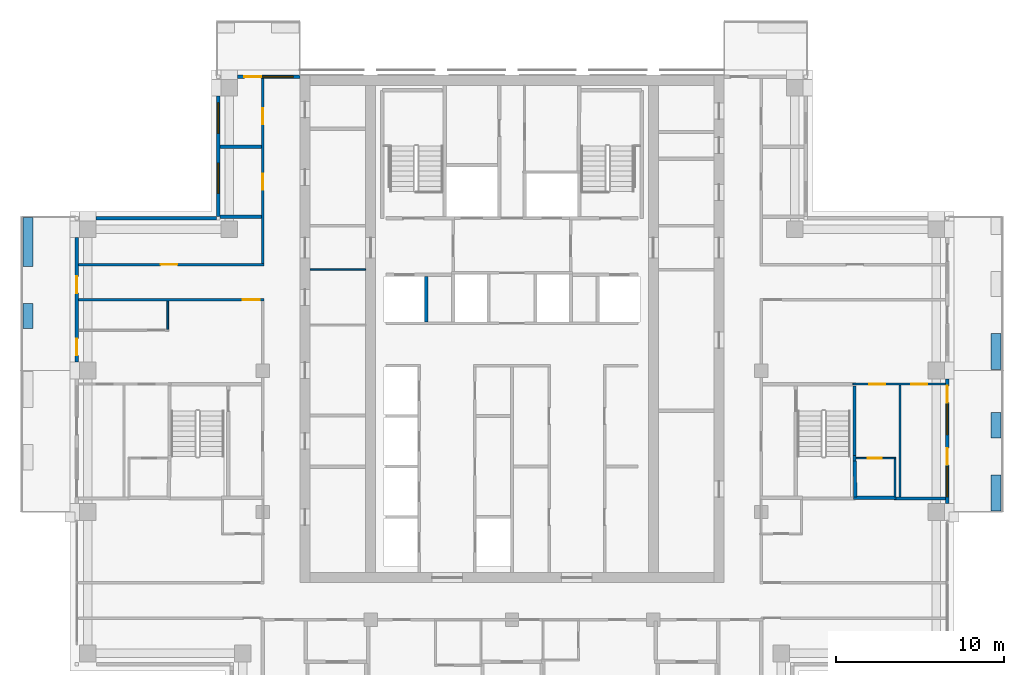
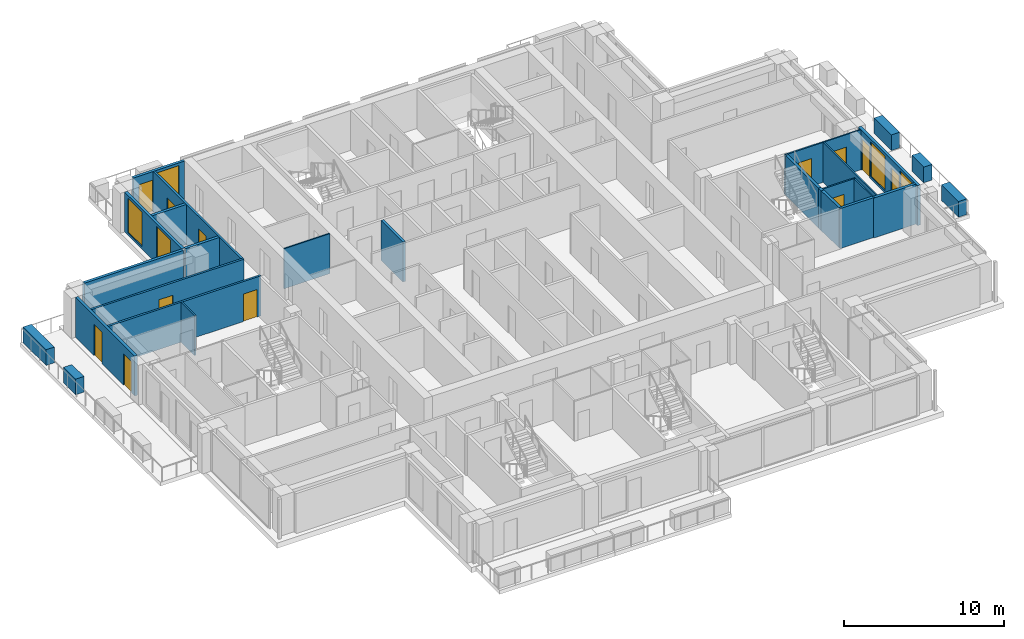
# One storey, part 10 of 17: 27 walls, 12 doors, 5 windows, 17 openings.
"""IFC4 building model written with IfcOpenShell, lengths in metres."""

from ifc_helpers import new_model, si_unit, direction, frame, frame_2d, origin, place, context, subcontext, project, spatial, rectangle, extrude, material, layer, layer_set, type_object, element, fill, save


model = new_model("IFC4")

# Units and contexts
model_context = context("Model", 3, precision=1e-05, world=origin(), true_north=direction((0.0, 1.0)))
body_context = subcontext(model_context, "Body", "Model", "MODEL_VIEW")
ifc_project = project(units=[si_unit("LENGTHUNIT", "METRE"), si_unit("AREAUNIT", "SQUARE_METRE"), si_unit("VOLUMEUNIT", "CUBIC_METRE"), si_unit("PLANEANGLEUNIT", "RADIAN"), si_unit("MASSUNIT", "GRAM", prefix="KILO")], contexts=[model_context])

# Site, building, storey
site_placement = place(None, origin())
site = spatial("IfcSite", under=ifc_project, at=site_placement, CompositionType="ELEMENT")
building_placement = place(site_placement, origin())
building = spatial("IfcBuilding", under=site, at=building_placement, Name="Vermilion Ogive Tower", CompositionType="ELEMENT")
storey_placement = place(building_placement, frame((0.0, 0.0, 196.25)))
storey = spatial("IfcBuildingStorey", under=building, at=storey_placement, Name="L51", CompositionType="ELEMENT", Elevation=196.25)

# Wall, opening, door
ifc_material_1 = material(Name="Gypsum board partition on steel studs", Category="steel")
ifc_layer_1 = layer(ifc_material_1, 0.10009765625)
ifc_layer_set_1 = layer_set([ifc_layer_1], Name="Partition 100 bath")
wall_type_1 = type_object("IfcWallType", Name="Partition 100 bath", PredefinedType="PARTITIONING", material=ifc_layer_set_1)
wall_1_placement = place(storey_placement, frame((20.449951171875, -1.0, 0.0), z_axis=(0.0, 0.0, 1.0), x_axis=(1.0, 0.0, 0.0)))
wall_1 = element("IfcWall", 1, at=wall_1_placement, inside=storey, type_object=wall_type_1, Name="L51-W-W032", PredefinedType="PARTITIONING", context=body_context, shape_type="SweptSolid", body=[
    extrude(rectangle(XDim=2.35009765625, YDim=0.10009765625, at=frame_2d((1.175048828125, 0.0))), origin(), (0.0, 0.0, 1.0), 3.050048828125),
])
opening_1_placement = place(wall_1_placement, frame((0.675048828125, 0.0, 0.0)))
opening_1 = element("IfcOpeningElement", 2, at=opening_1_placement, cuts=wall_1, Name="Opening D4G3022", PredefinedType="OPENING", context=body_context, shape_type="SweptSolid", body=[
    extrude(rectangle(XDim=0.85009765625, YDim=2.10009765625, at=frame_2d((0.425048828125, 1.050048828125))), frame((0.0, 0.06005859375, 0.0), z_axis=(0.0, -1.0, 0.0), x_axis=(1.0, 0.0, 0.0)), (0.0, 0.0, 1.0), 0.1201171875),
])
ifc_material_2 = material(Name="Timber door leaf", Category="wood")
door_type_1 = type_object("IfcDoorType", Name="Bath door 850 x 2100 FD30", OperationType="SINGLE_SWING_LEFT", PredefinedType="DOOR", material=ifc_material_2)
door_1_placement = place(opening_1_placement, origin())
door_1 = element("IfcDoor", 3, at=door_1_placement, inside=storey, type_object=door_type_1, Name="L51-D-D022", OperationType="SINGLE_SWING_RIGHT", OverallHeight=2.10009765625, OverallWidth=0.85009765625, PredefinedType="DOOR", context=body_context, shape_type="SweptSolid", body=[
    extrude(rectangle(XDim=0.85009765625, YDim=2.10009765625, at=frame_2d((0.425048828125, 1.050048828125))), frame((0.0, 0.02490234375, 0.0), z_axis=(0.0, -1.0, 0.0), x_axis=(1.0, 0.0, 0.0)), (0.0, 0.0, 1.0), 0.050048828125),
])
fill(opening_1, door_1)

# Walls
wall_2_placement = place(storey_placement, frame((22.75, -3.300048828125, 0.0), z_axis=(0.0, 0.0, 1.0), x_axis=(0.0, 1.0, 0.0)))
element("IfcWall", 4, at=wall_2_placement, inside=storey, type_object=wall_type_1, Name="L51-W-W083", PredefinedType="PARTITIONING", context=body_context, shape_type="SweptSolid", body=[
    extrude(rectangle(XDim=2.25, YDim=0.10009765625, at=frame_2d((1.125, 0.0))), origin(), (0.0, 0.0, 1.0), 3.050048828125),
])
wall_3_placement = place(storey_placement, frame((-11.9990234375, 10.199951171875, 0.0), z_axis=(0.0, 0.0, 1.0), x_axis=(1.0, 0.0, 0.0)))
element("IfcWall", 5, at=wall_3_placement, inside=storey, type_object=wall_type_1, Name="L51-CKW-W-W004", PredefinedType="PARTITIONING", context=body_context, shape_type="SweptSolid", body=[
    extrude(rectangle(XDim=3.298095703125, YDim=0.10009765625, at=frame_2d((1.64892578125, 0.0))), origin(), (0.0, 0.0, 1.0), 3.050048828125),
])

# Wall, openings, doors
ifc_material_3 = material(Name="Gypsum board partition on steel studs", Category="steel")
ifc_layer_2 = layer(ifc_material_3, 0.10009765625)
ifc_layer_set_2 = layer_set([ifc_layer_2], Name="Partition 100 inner")
wall_type_2 = type_object("IfcWallType", Name="Partition 100 inner", PredefinedType="PARTITIONING", material=ifc_layer_set_2)
wall_4_placement = place(storey_placement, frame((20.25, 3.39990234375, 0.0), z_axis=(0.0, 0.0, 1.0), x_axis=(1.0, 0.0, 0.0)))
wall_4 = element("IfcWall", 6, at=wall_4_placement, inside=storey, type_object=wall_type_2, Name="L51-W-W036", PredefinedType="PARTITIONING", context=body_context, shape_type="SweptSolid", body=[
    extrude(rectangle(XDim=5.5, YDim=0.10009765625, at=frame_2d((2.75, 0.0))), origin(), (0.0, 0.0, 1.0), 3.050048828125),
])
opening_2_placement = place(wall_4_placement, frame((3.474853515625, 0.0, 0.0)))
opening_2 = element("IfcOpeningElement", 7, at=opening_2_placement, cuts=wall_4, Name="Opening D4G3019", PredefinedType="OPENING", context=body_context, shape_type="SweptSolid", body=[
    extrude(rectangle(XDim=0.949951171875, YDim=2.10009765625, at=frame_2d((0.47509765625, 1.050048828125))), frame((0.0, 0.06005859375, 0.0), z_axis=(0.0, -1.0, 0.0), x_axis=(1.0, 0.0, 0.0)), (0.0, 0.0, 1.0), 0.1201171875),
])
opening_3_placement = place(wall_4_placement, frame((0.97509765625, 0.0, 0.0)))
opening_3 = element("IfcOpeningElement", 8, at=opening_3_placement, cuts=wall_4, Name="Opening D4G3021", PredefinedType="OPENING", context=body_context, shape_type="SweptSolid", body=[
    extrude(rectangle(XDim=0.949951171875, YDim=2.10009765625, at=frame_2d((0.47509765625, 1.050048828125))), frame((0.0, 0.06005859375, 0.0), z_axis=(0.0, -1.0, 0.0), x_axis=(1.0, 0.0, 0.0)), (0.0, 0.0, 1.0), 0.1201171875),
])
ifc_material_4 = material(Name="Timber door leaf", Category="wood")
door_type_2 = type_object("IfcDoorType", Name="Inner door 950 x 2100 FD30", OperationType="SINGLE_SWING_LEFT", PredefinedType="DOOR", material=ifc_material_4)
door_2_placement = place(opening_2_placement, origin())
door_2 = element("IfcDoor", 9, at=door_2_placement, inside=storey, type_object=door_type_2, Name="L51-D-D019", OperationType="SINGLE_SWING_RIGHT", OverallHeight=2.10009765625, OverallWidth=0.949951171875, PredefinedType="DOOR", context=body_context, shape_type="SweptSolid", body=[
    extrude(rectangle(XDim=0.949951171875, YDim=2.10009765625, at=frame_2d((0.47509765625, 1.050048828125))), frame((0.0, 0.02490234375, 0.0), z_axis=(0.0, -1.0, 0.0), x_axis=(1.0, 0.0, 0.0)), (0.0, 0.0, 1.0), 0.050048828125),
])
fill(opening_2, door_2)
door_3_placement = place(opening_3_placement, origin())
door_3 = element("IfcDoor", 10, at=door_3_placement, inside=storey, type_object=door_type_2, Name="L51-D-D021", OperationType="SINGLE_SWING_RIGHT", OverallHeight=2.10009765625, OverallWidth=0.949951171875, PredefinedType="DOOR", context=body_context, shape_type="SweptSolid", body=[
    extrude(rectangle(XDim=0.949951171875, YDim=2.10009765625, at=frame_2d((0.47509765625, 1.050048828125))), frame((0.0, 0.02490234375, 0.0), z_axis=(0.0, -1.0, 0.0), x_axis=(1.0, 0.0, 0.0)), (0.0, 0.0, 1.0), 0.050048828125),
])
fill(opening_3, door_3)

# Walls
wall_5_placement = place(storey_placement, frame((-20.449951171875, 6.64990234375, 0.0), z_axis=(0.0, 0.0, 1.0), x_axis=(0.0, 1.0, 0.0)))
element("IfcWall", 11, at=wall_5_placement, inside=storey, type_object=wall_type_2, Name="L51-W-W048", PredefinedType="PARTITIONING", context=body_context, shape_type="SweptSolid", body=[
    extrude(rectangle(XDim=1.675048828125, YDim=0.10009765625, at=frame_2d((0.83740234375, 0.0))), origin(), (0.0, 0.0, 1.0), 3.050048828125),
])
wall_6_placement = place(storey_placement, frame((23.050048828125, -3.300048828125, 0.0), z_axis=(0.0, 0.0, 1.0), x_axis=(0.0, 1.0, 0.0)))
element("IfcWall", 12, at=wall_6_placement, inside=storey, type_object=wall_type_2, Name="L51-W-W084", PredefinedType="PARTITIONING", context=body_context, shape_type="SweptSolid", body=[
    extrude(rectangle(XDim=6.650146484375, YDim=0.10009765625, at=frame_2d((3.3251953125, 0.0))), origin(), (0.0, 0.0, 1.0), 3.050048828125),
])

# Wall, opening, door
ifc_material_5 = material(Name="Gypsum board partition on steel studs", Category="steel")
ifc_layer_3 = layer(ifc_material_5, 0.14990234375)
ifc_layer_set_3 = layer_set([ifc_layer_3], Name="Partition 150 corridor")
wall_type_3 = type_object("IfcWallType", Name="Partition 150 corridor", PredefinedType="PARTITIONING", material=ifc_layer_set_3)
wall_7_placement = place(storey_placement, frame((-25.75, 8.39990234375, 0.0), z_axis=(0.0, 0.0, 1.0), x_axis=(1.0, 0.0, 0.0)))
wall_7 = element("IfcWall", 13, at=wall_7_placement, inside=storey, type_object=wall_type_3, Name="L51-W-W038", PredefinedType="PARTITIONING", context=body_context, shape_type="SweptSolid", body=[
    extrude(rectangle(XDim=11.02490234375, YDim=0.14990234375, at=frame_2d((5.512451171875, 0.0))), origin(), (0.0, 0.0, 1.0), 3.050048828125),
])
opening_4_placement = place(wall_7_placement, frame((9.75, 0.0, 0.0)))
opening_4 = element("IfcOpeningElement", 14, at=opening_4_placement, cuts=wall_7, Name="Opening D4G3006", PredefinedType="OPENING", context=body_context, shape_type="SweptSolid", body=[
    extrude(rectangle(XDim=1.0, YDim=2.10009765625, at=frame_2d((0.5, 1.050048828125))), frame((0.0, 0.0849609375, 0.0), z_axis=(0.0, -1.0, 0.0), x_axis=(1.0, 0.0, 0.0)), (0.0, 0.0, 1.0), 0.169921875),
])
ifc_material_6 = material(Name="Timber door leaf", Category="wood")
door_type_3 = type_object("IfcDoorType", Name="Unit door 1000 x 2100 FD30S", OperationType="SINGLE_SWING_LEFT", PredefinedType="DOOR", material=ifc_material_6)
door_4_placement = place(opening_4_placement, origin())
door_4 = element("IfcDoor", 15, at=door_4_placement, inside=storey, type_object=door_type_3, Name="L51-D-D006", OperationType="SINGLE_SWING_RIGHT", OverallHeight=2.10009765625, OverallWidth=1.0, PredefinedType="DOOR", context=body_context, shape_type="SweptSolid", body=[
    extrude(rectangle(XDim=1.0, YDim=2.10009765625, at=frame_2d((0.5, 1.050048828125))), frame((0.0, 0.02490234375, 0.0), z_axis=(0.0, -1.0, 0.0), x_axis=(1.0, 0.0, 0.0)), (0.0, 0.0, 1.0), 0.050048828125),
])
fill(opening_4, door_4)

wall_8_placement = place(storey_placement, frame((-25.75, 10.5, 0.0), z_axis=(0.0, 0.0, 1.0), x_axis=(1.0, 0.0, 0.0)))
wall_8 = element("IfcWall", 16, at=wall_8_placement, inside=storey, type_object=wall_type_3, Name="L51-W-W040", PredefinedType="PARTITIONING", context=body_context, shape_type="SweptSolid", body=[
    extrude(rectangle(XDim=11.02490234375, YDim=0.14990234375, at=frame_2d((5.512451171875, 0.0))), origin(), (0.0, 0.0, 1.0), 3.050048828125),
])
opening_5_placement = place(wall_8_placement, frame((4.875, 0.0, 0.0)))
opening_5 = element("IfcOpeningElement", 17, at=opening_5_placement, cuts=wall_8, Name="Opening D4G3037", PredefinedType="OPENING", context=body_context, shape_type="SweptSolid", body=[
    extrude(rectangle(XDim=1.0, YDim=2.10009765625, at=frame_2d((0.5, 1.050048828125))), frame((0.0, 0.0849609375, 0.0), z_axis=(0.0, -1.0, 0.0), x_axis=(1.0, 0.0, 0.0)), (0.0, 0.0, 1.0), 0.169921875),
])
door_5_placement = place(opening_5_placement, origin())
door_5 = element("IfcDoor", 18, at=door_5_placement, inside=storey, type_object=door_type_3, Name="L51-D-D037", OperationType="SINGLE_SWING_RIGHT", OverallHeight=2.10009765625, OverallWidth=1.0, PredefinedType="DOOR", context=body_context, shape_type="SweptSolid", body=[
    extrude(rectangle(XDim=1.0, YDim=2.10009765625, at=frame_2d((0.5, 1.050048828125))), frame((0.0, 0.02490234375, 0.0), z_axis=(0.0, -1.0, 0.0), x_axis=(1.0, 0.0, 0.0)), (0.0, 0.0, 1.0), 0.050048828125),
])
fill(opening_5, door_5)

# Wall, openings, doors
wall_9_placement = place(storey_placement, frame((-14.800048828125, 10.574951171875, 0.0), z_axis=(0.0, 0.0, 1.0), x_axis=(0.0, 1.0, 0.0)))
wall_9 = element("IfcWall", 19, at=wall_9_placement, inside=storey, type_object=wall_type_3, Name="L51-W-W057", PredefinedType="PARTITIONING", context=body_context, shape_type="SweptSolid", body=[
    extrude(rectangle(XDim=10.97509765625, YDim=0.14990234375, at=frame_2d((5.487548828125, 0.0))), origin(), (0.0, 0.0, 1.0), 3.050048828125),
])
opening_6_placement = place(wall_9_placement, frame((4.375, 0.0, 0.0)))
opening_6 = element("IfcOpeningElement", 20, at=opening_6_placement, cuts=wall_9, Name="Opening D4G3009", PredefinedType="OPENING", context=body_context, shape_type="SweptSolid", body=[
    extrude(rectangle(XDim=0.949951171875, YDim=2.10009765625, at=frame_2d((0.47509765625, 1.050048828125))), frame((0.0, 0.0849609375, 0.0), z_axis=(0.0, -1.0, 0.0), x_axis=(1.0, 0.0, 0.0)), (0.0, 0.0, 1.0), 0.169921875),
])
opening_7_placement = place(wall_9_placement, frame((8.275146484375, 0.0, 0.0)))
opening_7 = element("IfcOpeningElement", 21, at=opening_7_placement, cuts=wall_9, Name="Opening D4G3010", PredefinedType="OPENING", context=body_context, shape_type="SweptSolid", body=[
    extrude(rectangle(XDim=0.949951171875, YDim=2.10009765625, at=frame_2d((0.47509765625, 1.050048828125))), frame((0.0, 0.0849609375, 0.0), z_axis=(0.0, -1.0, 0.0), x_axis=(1.0, 0.0, 0.0)), (0.0, 0.0, 1.0), 0.169921875),
])
ifc_material_7 = material(Name="Timber door leaf", Category="wood")
door_type_4 = type_object("IfcDoorType", Name="Unit door 950 x 2100 FD30S", OperationType="SINGLE_SWING_LEFT", PredefinedType="DOOR", material=ifc_material_7)
door_6_placement = place(opening_6_placement, origin())
door_6 = element("IfcDoor", 22, at=door_6_placement, inside=storey, type_object=door_type_4, Name="L51-D-D009", OperationType="SINGLE_SWING_LEFT", OverallHeight=2.10009765625, OverallWidth=0.949951171875, PredefinedType="DOOR", context=body_context, shape_type="SweptSolid", body=[
    extrude(rectangle(XDim=0.949951171875, YDim=2.10009765625, at=frame_2d((0.47509765625, 1.050048828125))), frame((0.0, 0.02490234375, 0.0), z_axis=(0.0, -1.0, 0.0), x_axis=(1.0, 0.0, 0.0)), (0.0, 0.0, 1.0), 0.050048828125),
])
fill(opening_6, door_6)
door_7_placement = place(opening_7_placement, origin())
door_7 = element("IfcDoor", 23, at=door_7_placement, inside=storey, type_object=door_type_4, Name="L51-D-D010", OperationType="SINGLE_SWING_RIGHT", OverallHeight=2.10009765625, OverallWidth=0.949951171875, PredefinedType="DOOR", context=body_context, shape_type="SweptSolid", body=[
    extrude(rectangle(XDim=0.949951171875, YDim=2.10009765625, at=frame_2d((0.47509765625, 1.050048828125))), frame((0.0, 0.02490234375, 0.0), z_axis=(0.0, -1.0, 0.0), x_axis=(1.0, 0.0, 0.0)), (0.0, 0.0, 1.0), 0.050048828125),
])
fill(opening_7, door_7)

# Walls
ifc_material_8 = material(Name="Gypsum board partition on steel studs", Category="steel")
ifc_layer_4 = layer(ifc_material_8, 0.199951171875)
ifc_layer_set_4 = layer_set([ifc_layer_4], Name="Partition 200 party")
wall_type_4 = type_object("IfcWallType", Name="Partition 200 party", PredefinedType="PARTITIONING", material=ifc_layer_set_4)
wall_10_placement = place(storey_placement, frame((22.699951171875, -3.39990234375, 0.0), z_axis=(0.0, 0.0, 1.0), x_axis=(1.0, 0.0, 0.0)))
element("IfcWall", 24, at=wall_10_placement, inside=storey, type_object=wall_type_4, Name="L51-W-W030", PredefinedType="PARTITIONING", context=body_context, shape_type="SweptSolid", body=[
    extrude(rectangle(XDim=3.050048828125, YDim=0.199951171875, at=frame_2d((1.52490234375, 0.0))), origin(), (0.0, 0.0, 1.0), 3.050048828125),
])
for number, where, z_axis, x_axis, name in (
    (25, (-17.35009765625, 13.35009765625, 0.0), (0.0, 0.0, 1.0), (1.0, 0.0, 0.0), "L51-W-W042"),
    (26, (-17.35009765625, 17.5, 0.0), (0.0, 0.0, 1.0), (1.0, 0.0, 0.0), "L51-W-W044"),
):
    element("IfcWall", number, at=place(storey_placement, frame(where, z_axis=z_axis, x_axis=x_axis)), inside=storey, type_object=wall_type_4, Name=name, PredefinedType="PARTITIONING", context=body_context, shape_type="SweptSolid", body=[
        extrude(rectangle(XDim=2.47509765625, YDim=0.199951171875, at=frame_2d((1.237548828125, 0.0))), origin(), (0.0, 0.0, 1.0), 3.050048828125),
    ])
wall_11_placement = place(storey_placement, frame((-5.10009765625, 7.074951171875, 0.0), z_axis=(0.0, 0.0, 1.0), x_axis=(0.0, 1.0, 0.0)))
element("IfcWall", 27, at=wall_11_placement, inside=storey, type_object=wall_type_4, Name="L51-CK-W-W021", PredefinedType="PARTITIONING", context=body_context, shape_type="SweptSolid", body=[
    extrude(rectangle(XDim=2.72509765625, YDim=0.199951171875, at=frame_2d((1.362548828125, 0.0))), origin(), (0.0, 0.0, 1.0), 3.050048828125),
])
ifc_material_9 = material(Name="Concrete B60", Category="concrete")
ifc_layer_5 = layer(ifc_material_9, 0.199951171875)
ifc_layer_set_5 = layer_set([ifc_layer_5], Name="Stair shaft wall 200 Concrete B60")
wall_type_5 = type_object("IfcWallType", Name="Stair shaft wall 200 Concrete B60", PredefinedType="SOLIDWALL", material=ifc_layer_set_5)
wall_12_placement = place(storey_placement, frame((20.300048828125, -3.349853515625, 0.0), z_axis=(0.0, 0.0, 1.0), x_axis=(1.0, 0.0, 0.0)))
element("IfcWall", 28, at=wall_12_placement, inside=storey, type_object=wall_type_5, Name="L51-W-W029", PredefinedType="SOLIDWALL", context=body_context, shape_type="SweptSolid", body=[
    extrude(rectangle(XDim=2.5, YDim=0.199951171875, at=frame_2d((1.25, 0.0))), origin(), (0.0, 0.0, 1.0), 3.050048828125),
])
wall_13_placement = place(storey_placement, frame((20.400146484375, -3.300048828125, 0.0), z_axis=(0.0, 0.0, 1.0), x_axis=(-0.021771342749, 0.999762976227, 0.0)))
element("IfcWall", 29, at=wall_13_placement, inside=storey, type_object=wall_type_5, Name="L51-W-W081", PredefinedType="SOLIDWALL", context=body_context, shape_type="SweptSolid", body=[
    extrude(rectangle(XDim=2.130615234375, YDim=0.199951171875, at=frame_2d((1.0654296875, 0.0))), origin(), (0.0, 0.0, 1.0), 3.050048828125),
])
wall_14_placement = place(storey_placement, frame((20.35009765625, -0.830078125, 0.0), z_axis=(0.0, 0.0, 1.0), x_axis=(0.0, 1.0, 0.0)))
element("IfcWall", 30, at=wall_14_placement, inside=storey, type_object=wall_type_5, Name="L51-W-W082", PredefinedType="SOLIDWALL", context=body_context, shape_type="SweptSolid", body=[
    extrude(rectangle(XDim=4.130126953125, YDim=0.199951171875, at=frame_2d((2.06494140625, 0.0))), origin(), (0.0, 0.0, 1.0), 3.050048828125),
])
wall_15_placement = place(storey_placement, frame((20.35009765625, -1.169921875, 0.0), z_axis=(0.0, 0.0, 1.0), x_axis=(0.0, 1.0, 0.0)))
element("IfcWall", 31, at=wall_15_placement, inside=storey, type_object=wall_type_5, Name="L51-SW-ST8-E1", PredefinedType="SOLIDWALL", context=body_context, shape_type="SweptSolid", body=[
    extrude(rectangle(XDim=0.33984375, YDim=0.199951171875, at=frame_2d((0.169921875, 0.0))), origin(), (0.0, 0.0, 1.0), 3.050048828125),
])
ifc_material_10 = material(Name="Concrete B40", Category="concrete")
ifc_layer_6 = layer(ifc_material_10, 0.60009765625)
ifc_layer_set_6 = layer_set([ifc_layer_6], Name="Structural planter")
wall_type_6 = type_object("IfcWallType", Name="Structural planter", PredefinedType="USERDEFINED", material=ifc_layer_set_6)
wall_16_placement = place(storey_placement, frame((28.75, -4.139892578125, -0.0400390625), z_axis=(0.0, 0.0, 1.0), x_axis=(0.0, 1.0, 0.0)))
element("IfcWall", 32, at=wall_16_placement, inside=storey, type_object=wall_type_6, Name="Planter E02A1", ObjectType="PLANTER", PredefinedType="USERDEFINED", context=body_context, shape_type="SweptSolid", body=[
    extrude(rectangle(XDim=2.139892578125, YDim=0.60009765625, at=frame_2d((1.06982421875, 0.0))), origin(), (0.0, 0.0, 1.0), 1.199951171875),
])
wall_17_placement = place(storey_placement, frame((28.75, 0.199951171875, -0.0400390625), z_axis=(0.0, 0.0, 1.0), x_axis=(0.0, 1.0, 0.0)))
element("IfcWall", 33, at=wall_17_placement, inside=storey, type_object=wall_type_6, Name="Planter E02A2", ObjectType="PLANTER", PredefinedType="USERDEFINED", context=body_context, shape_type="SweptSolid", body=[
    extrude(rectangle(XDim=1.5, YDim=0.60009765625, at=frame_2d((0.75, 0.0))), origin(), (0.0, 0.0, 1.0), 1.199951171875),
])
wall_18_placement = place(storey_placement, frame((28.75, 4.260009765625, -0.0400390625), z_axis=(0.0, 0.0, 1.0), x_axis=(0.0, 1.0, 0.0)))
element("IfcWall", 34, at=wall_18_placement, inside=storey, type_object=wall_type_6, Name="Planter E03A1", ObjectType="PLANTER", PredefinedType="USERDEFINED", context=body_context, shape_type="SweptSolid", body=[
    extrude(rectangle(XDim=2.139892578125, YDim=0.60009765625, at=frame_2d((1.06982421875, 0.0))), origin(), (0.0, 0.0, 1.0), 1.199951171875),
])
wall_19_placement = place(storey_placement, frame((-28.75, 13.2900390625, -0.0400390625), z_axis=(0.0, 0.0, 1.0), x_axis=(0.0, -1.0, 0.0)))
element("IfcWall", 35, at=wall_19_placement, inside=storey, type_object=wall_type_6, Name="Planter W01A1", ObjectType="PLANTER", PredefinedType="USERDEFINED", context=body_context, shape_type="SweptSolid", body=[
    extrude(rectangle(XDim=2.89013671875, YDim=0.60009765625, at=frame_2d((1.445068359375, 0.0))), origin(), (0.0, 0.0, 1.0), 1.199951171875),
])
wall_20_placement = place(storey_placement, frame((-28.75, 8.199951171875, -0.0400390625), z_axis=(0.0, 0.0, 1.0), x_axis=(0.0, -1.0, 0.0)))
element("IfcWall", 36, at=wall_20_placement, inside=storey, type_object=wall_type_6, Name="Planter W01A2", ObjectType="PLANTER", PredefinedType="USERDEFINED", context=body_context, shape_type="SweptSolid", body=[
    extrude(rectangle(XDim=1.5, YDim=0.60009765625, at=frame_2d((0.75, 0.0))), origin(), (0.0, 0.0, 1.0), 1.199951171875),
])

# Wall, openings, doors, windows
ifc_material_11 = material(Name="Aluminium window wall framing", Category="aluminium")
ifc_layer_7 = layer(ifc_material_11, 0.199951171875)
ifc_layer_set_7 = layer_set([ifc_layer_7], Name="Window wall")
wall_type_7 = type_object("IfcWallType", Name="Window wall", PredefinedType="STANDARD", material=ifc_layer_set_7)
wall_21_placement = place(storey_placement, frame((25.85009765625, -3.699951171875, 0.0), z_axis=(0.0, 0.0, 1.0), x_axis=(0.0, 1.0, 0.0)))
wall_21 = element("IfcWall", 37, at=wall_21_placement, inside=storey, type_object=wall_type_7, Name="Window wall E2", PredefinedType="STANDARD", context=body_context, shape_type="SweptSolid", body=[
    extrude(rectangle(XDim=7.39990234375, YDim=0.199951171875, at=frame_2d((3.699951171875, 0.0))), origin(), (0.0, 0.0, 1.0), 3.050048828125),
])
opening_8_placement = place(wall_21_placement, frame((0.39990234375, 0.0, 0.199951171875)))
opening_8 = element("IfcOpeningElement", 38, at=opening_8_placement, cuts=wall_21, Name="Opening W1-E99", PredefinedType="OPENING", context=body_context, shape_type="SweptSolid", body=[
    extrude(rectangle(XDim=1.800048828125, YDim=2.64990234375, at=frame_2d((0.89990234375, 1.324951171875))), frame((0.0, 0.10986328125, 0.0), z_axis=(0.0, -1.0, 0.0), x_axis=(1.0, 0.0, 0.0)), (0.0, 0.0, 1.0), 0.219970703125),
])
opening_9_placement = place(wall_21_placement, frame((2.300048828125, 0.0, 0.0)))
opening_9 = element("IfcOpeningElement", 39, at=opening_9_placement, cuts=wall_21, Name="Opening D1-E99", PredefinedType="OPENING", context=body_context, shape_type="SweptSolid", body=[
    extrude(rectangle(XDim=1.0, YDim=2.39990234375, at=frame_2d((0.5, 1.199951171875))), frame((0.0, 0.10986328125, 0.0), z_axis=(0.0, -1.0, 0.0), x_axis=(1.0, 0.0, 0.0)), (0.0, 0.0, 1.0), 0.219970703125),
])
opening_10_placement = place(wall_21_placement, frame((4.10009765625, 0.0, 0.199951171875)))
opening_10 = element("IfcOpeningElement", 40, at=opening_10_placement, cuts=wall_21, Name="Opening W1-E00", PredefinedType="OPENING", context=body_context, shape_type="SweptSolid", body=[
    extrude(rectangle(XDim=1.800048828125, YDim=2.64990234375, at=frame_2d((0.89990234375, 1.324951171875))), frame((0.0, 0.10986328125, 0.0), z_axis=(0.0, -1.0, 0.0), x_axis=(1.0, 0.0, 0.0)), (0.0, 0.0, 1.0), 0.219970703125),
])
opening_11_placement = place(wall_21_placement, frame((6.0, 0.0, 0.0)))
opening_11 = element("IfcOpeningElement", 41, at=opening_11_placement, cuts=wall_21, Name="Opening D1-E00", PredefinedType="OPENING", context=body_context, shape_type="SweptSolid", body=[
    extrude(rectangle(XDim=1.0, YDim=2.39990234375, at=frame_2d((0.5, 1.199951171875))), frame((0.0, 0.10986328125, 0.0), z_axis=(0.0, -1.0, 0.0), x_axis=(1.0, 0.0, 0.0)), (0.0, 0.0, 1.0), 0.219970703125),
])
ifc_material_12 = material(Name="Aluminium framed glazed door", Category="aluminium")
door_type_5 = type_object("IfcDoorType", Name="Balcony door D1", OperationType="SINGLE_SWING_LEFT", PredefinedType="DOOR", material=ifc_material_12)
door_8_placement = place(opening_9_placement, origin())
door_8 = element("IfcDoor", 42, at=door_8_placement, inside=storey, type_object=door_type_5, Name="Balcony door E99", OperationType="SINGLE_SWING_LEFT", OverallHeight=2.39990234375, OverallWidth=1.0, PredefinedType="DOOR", context=body_context, shape_type="SweptSolid", body=[
    extrude(rectangle(XDim=1.0, YDim=2.39990234375, at=frame_2d((0.5, 1.199951171875))), frame((0.0, 0.02490234375, 0.0), z_axis=(0.0, -1.0, 0.0), x_axis=(1.0, 0.0, 0.0)), (0.0, 0.0, 1.0), 0.050048828125),
])
fill(opening_9, door_8)
door_9_placement = place(opening_11_placement, origin())
door_9 = element("IfcDoor", 43, at=door_9_placement, inside=storey, type_object=door_type_5, Name="Balcony door E00", OperationType="SINGLE_SWING_LEFT", OverallHeight=2.39990234375, OverallWidth=1.0, PredefinedType="DOOR", context=body_context, shape_type="SweptSolid", body=[
    extrude(rectangle(XDim=1.0, YDim=2.39990234375, at=frame_2d((0.5, 1.199951171875))), frame((0.0, 0.02490234375, 0.0), z_axis=(0.0, -1.0, 0.0), x_axis=(1.0, 0.0, 0.0)), (0.0, 0.0, 1.0), 0.050048828125),
])
fill(opening_11, door_9)
ifc_material_13 = material(Name="Aluminium framed double glazing", Category="aluminium")
window_type = type_object("IfcWindowType", Name="Guest window W1", PartitioningType="SINGLE_PANEL", PredefinedType="WINDOW", material=ifc_material_13)
window_1_placement = place(opening_8_placement, origin())
window_1 = element("IfcWindow", 44, at=window_1_placement, inside=storey, type_object=window_type, Name="Window E99", OverallHeight=2.64990234375, OverallWidth=1.800048828125, PartitioningType="SINGLE_PANEL", PredefinedType="WINDOW", context=body_context, shape_type="SweptSolid", body=[
    extrude(rectangle(XDim=1.800048828125, YDim=2.64990234375, at=frame_2d((0.89990234375, 1.324951171875))), frame((0.0, 0.030029296875, 0.0), z_axis=(0.0, -1.0, 0.0), x_axis=(1.0, 0.0, 0.0)), (0.0, 0.0, 1.0), 0.06005859375),
])
fill(opening_8, window_1)
window_2_placement = place(opening_10_placement, origin())
window_2 = element("IfcWindow", 45, at=window_2_placement, inside=storey, type_object=window_type, Name="Window E00", OverallHeight=2.64990234375, OverallWidth=1.800048828125, PartitioningType="SINGLE_PANEL", PredefinedType="WINDOW", context=body_context, shape_type="SweptSolid", body=[
    extrude(rectangle(XDim=1.800048828125, YDim=2.64990234375, at=frame_2d((0.89990234375, 1.324951171875))), frame((0.0, 0.030029296875, 0.0), z_axis=(0.0, -1.0, 0.0), x_axis=(1.0, 0.0, 0.0)), (0.0, 0.0, 1.0), 0.06005859375),
])
fill(opening_10, window_2)

# Wall, openings, door, window
wall_22_placement = place(storey_placement, frame((-12.60009765625, 21.64990234375, 0.0), z_axis=(0.0, 0.0, 1.0), x_axis=(-1.0, 0.0, 0.0)))
wall_22 = element("IfcWall", 46, at=wall_22_placement, inside=storey, type_object=wall_type_7, Name="Window wall N21", PredefinedType="STANDARD", context=body_context, shape_type="SweptSolid", body=[
    extrude(rectangle(XDim=3.699951171875, YDim=0.199951171875, at=frame_2d((1.85009765625, 0.0))), origin(), (0.0, 0.0, 1.0), 3.050048828125),
])
opening_12_placement = place(wall_22_placement, frame((0.39990234375, 0.0, 0.199951171875)))
opening_12 = element("IfcOpeningElement", 47, at=opening_12_placement, cuts=wall_22, Name="Opening W1-N296", PredefinedType="OPENING", context=body_context, shape_type="SweptSolid", body=[
    extrude(rectangle(XDim=1.800048828125, YDim=2.64990234375, at=frame_2d((0.89990234375, 1.324951171875))), frame((0.0, 0.10986328125, 0.0), z_axis=(0.0, -1.0, 0.0), x_axis=(1.0, 0.0, 0.0)), (0.0, 0.0, 1.0), 0.219970703125),
])
opening_13_placement = place(wall_22_placement, frame((2.300048828125, 0.0, 0.0)))
opening_13 = element("IfcOpeningElement", 48, at=opening_13_placement, cuts=wall_22, Name="Opening D1-N296", PredefinedType="OPENING", context=body_context, shape_type="SweptSolid", body=[
    extrude(rectangle(XDim=1.0, YDim=2.39990234375, at=frame_2d((0.5, 1.199951171875))), frame((0.0, 0.10986328125, 0.0), z_axis=(0.0, -1.0, 0.0), x_axis=(1.0, 0.0, 0.0)), (0.0, 0.0, 1.0), 0.219970703125),
])
door_10_placement = place(opening_13_placement, origin())
door_10 = element("IfcDoor", 49, at=door_10_placement, inside=storey, type_object=door_type_5, Name="Balcony door N296", OperationType="SINGLE_SWING_LEFT", OverallHeight=2.39990234375, OverallWidth=1.0, PredefinedType="DOOR", context=body_context, shape_type="SweptSolid", body=[
    extrude(rectangle(XDim=1.0, YDim=2.39990234375, at=frame_2d((0.5, 1.199951171875))), frame((0.0, 0.02490234375, 0.0), z_axis=(0.0, -1.0, 0.0), x_axis=(1.0, 0.0, 0.0)), (0.0, 0.0, 1.0), 0.050048828125),
])
fill(opening_13, door_10)
window_3_placement = place(opening_12_placement, origin())
window_3 = element("IfcWindow", 50, at=window_3_placement, inside=storey, type_object=window_type, Name="Window N296", OverallHeight=2.64990234375, OverallWidth=1.800048828125, PartitioningType="SINGLE_PANEL", PredefinedType="WINDOW", context=body_context, shape_type="SweptSolid", body=[
    extrude(rectangle(XDim=1.800048828125, YDim=2.64990234375, at=frame_2d((0.89990234375, 1.324951171875))), frame((0.0, 0.030029296875, 0.0), z_axis=(0.0, -1.0, 0.0), x_axis=(1.0, 0.0, 0.0)), (0.0, 0.0, 1.0), 0.06005859375),
])
fill(opening_12, window_3)

# Wall, openings, windows
wall_23_placement = place(storey_placement, frame((-17.449951171875, 20.5, 0.0), z_axis=(0.0, 0.0, 1.0), x_axis=(0.0, -1.0, 0.0)))
wall_23 = element("IfcWall", 51, at=wall_23_placement, inside=storey, type_object=wall_type_7, Name="Window wall X51", PredefinedType="STANDARD", context=body_context, shape_type="SweptSolid", body=[
    extrude(rectangle(XDim=7.14990234375, YDim=0.199951171875, at=frame_2d((3.574951171875, 0.0))), origin(), (0.0, 0.0, 1.0), 3.050048828125),
])
opening_14_placement = place(wall_23_placement, frame((3.97509765625, 0.0, 0.199951171875)))
opening_14 = element("IfcOpeningElement", 52, at=opening_14_placement, cuts=wall_23, Name="Opening W1-X503", PredefinedType="OPENING", context=body_context, shape_type="SweptSolid", body=[
    extrude(rectangle(XDim=1.800048828125, YDim=2.64990234375, at=frame_2d((0.89990234375, 1.324951171875))), frame((0.0, 0.10986328125, 0.0), z_axis=(0.0, -1.0, 0.0), x_axis=(1.0, 0.0, 0.0)), (0.0, 0.0, 1.0), 0.219970703125),
])
opening_15_placement = place(wall_23_placement, frame((0.39990234375, 0.0, 0.199951171875)))
opening_15 = element("IfcOpeningElement", 53, at=opening_15_placement, cuts=wall_23, Name="Opening W1-X504", PredefinedType="OPENING", context=body_context, shape_type="SweptSolid", body=[
    extrude(rectangle(XDim=1.800048828125, YDim=2.64990234375, at=frame_2d((0.89990234375, 1.324951171875))), frame((0.0, 0.10986328125, 0.0), z_axis=(0.0, -1.0, 0.0), x_axis=(1.0, 0.0, 0.0)), (0.0, 0.0, 1.0), 0.219970703125),
])
window_4_placement = place(opening_14_placement, origin())
window_4 = element("IfcWindow", 54, at=window_4_placement, inside=storey, type_object=window_type, Name="Window X503", OverallHeight=2.64990234375, OverallWidth=1.800048828125, PartitioningType="SINGLE_PANEL", PredefinedType="WINDOW", context=body_context, shape_type="SweptSolid", body=[
    extrude(rectangle(XDim=1.800048828125, YDim=2.64990234375, at=frame_2d((0.89990234375, 1.324951171875))), frame((0.0, 0.030029296875, 0.0), z_axis=(0.0, -1.0, 0.0), x_axis=(1.0, 0.0, 0.0)), (0.0, 0.0, 1.0), 0.06005859375),
])
fill(opening_14, window_4)
window_5_placement = place(opening_15_placement, origin())
window_5 = element("IfcWindow", 55, at=window_5_placement, inside=storey, type_object=window_type, Name="Window X504", OverallHeight=2.64990234375, OverallWidth=1.800048828125, PartitioningType="SINGLE_PANEL", PredefinedType="WINDOW", context=body_context, shape_type="SweptSolid", body=[
    extrude(rectangle(XDim=1.800048828125, YDim=2.64990234375, at=frame_2d((0.89990234375, 1.324951171875))), frame((0.0, 0.030029296875, 0.0), z_axis=(0.0, -1.0, 0.0), x_axis=(1.0, 0.0, 0.0)), (0.0, 0.0, 1.0), 0.06005859375),
])
fill(opening_15, window_5)

# Wall
wall_24_placement = place(storey_placement, frame((-17.550048828125, 13.25, 0.0), z_axis=(0.0, 0.0, 1.0), x_axis=(-1.0, 0.0, 0.0)))
element("IfcWall", 56, at=wall_24_placement, inside=storey, type_object=wall_type_7, Name="Window wall X61", PredefinedType="STANDARD", context=body_context, shape_type="SweptSolid", body=[
    extrude(rectangle(XDim=7.14990234375, YDim=0.199951171875, at=frame_2d((3.574951171875, 0.0))), origin(), (0.0, 0.0, 1.0), 3.050048828125),
])

# Wall, openings, doors
wall_25_placement = place(storey_placement, frame((-25.85009765625, 12.10009765625, 0.0), z_axis=(0.0, 0.0, 1.0), x_axis=(0.0, -1.0, 0.0)))
wall_25 = element("IfcWall", 57, at=wall_25_placement, inside=storey, type_object=wall_type_7, Name="Window wall W1", PredefinedType="STANDARD", context=body_context, shape_type="SweptSolid", body=[
    extrude(rectangle(XDim=7.400146484375, YDim=0.199951171875, at=frame_2d((3.7001953125, 0.0))), origin(), (0.0, 0.0, 1.0), 3.050048828125),
])
opening_16_placement = place(wall_25_placement, frame((6.0, 0.0, 0.0)))
opening_16 = element("IfcOpeningElement", 58, at=opening_16_placement, cuts=wall_25, Name="Opening D1-W01", PredefinedType="OPENING", context=body_context, shape_type="SweptSolid", body=[
    extrude(rectangle(XDim=1.0, YDim=2.39990234375, at=frame_2d((0.5, 1.199951171875))), frame((0.0, 0.10986328125, 0.0), z_axis=(0.0, -1.0, 0.0), x_axis=(1.0, 0.0, 0.0)), (0.0, 0.0, 1.0), 0.219970703125),
])
opening_17_placement = place(wall_25_placement, frame((2.300048828125, 0.0, 0.0)))
opening_17 = element("IfcOpeningElement", 59, at=opening_17_placement, cuts=wall_25, Name="Opening D1-W02", PredefinedType="OPENING", context=body_context, shape_type="SweptSolid", body=[
    extrude(rectangle(XDim=1.0, YDim=2.39990234375, at=frame_2d((0.5, 1.199951171875))), frame((0.0, 0.10986328125, 0.0), z_axis=(0.0, -1.0, 0.0), x_axis=(1.0, 0.0, 0.0)), (0.0, 0.0, 1.0), 0.219970703125),
])
door_11_placement = place(opening_16_placement, origin())
door_11 = element("IfcDoor", 60, at=door_11_placement, inside=storey, type_object=door_type_5, Name="Balcony door W01", OperationType="SINGLE_SWING_LEFT", OverallHeight=2.39990234375, OverallWidth=1.0, PredefinedType="DOOR", context=body_context, shape_type="SweptSolid", body=[
    extrude(rectangle(XDim=1.0, YDim=2.39990234375, at=frame_2d((0.5, 1.199951171875))), frame((0.0, 0.02490234375, 0.0), z_axis=(0.0, -1.0, 0.0), x_axis=(1.0, 0.0, 0.0)), (0.0, 0.0, 1.0), 0.050048828125),
])
fill(opening_16, door_11)
door_12_placement = place(opening_17_placement, origin())
door_12 = element("IfcDoor", 61, at=door_12_placement, inside=storey, type_object=door_type_5, Name="Balcony door W02", OperationType="SINGLE_SWING_LEFT", OverallHeight=2.39990234375, OverallWidth=1.0, PredefinedType="DOOR", context=body_context, shape_type="SweptSolid", body=[
    extrude(rectangle(XDim=1.0, YDim=2.39990234375, at=frame_2d((0.5, 1.199951171875))), frame((0.0, 0.02490234375, 0.0), z_axis=(0.0, -1.0, 0.0), x_axis=(1.0, 0.0, 0.0)), (0.0, 0.0, 1.0), 0.050048828125),
])
fill(opening_17, door_12)

save(model, "model.ifc")
